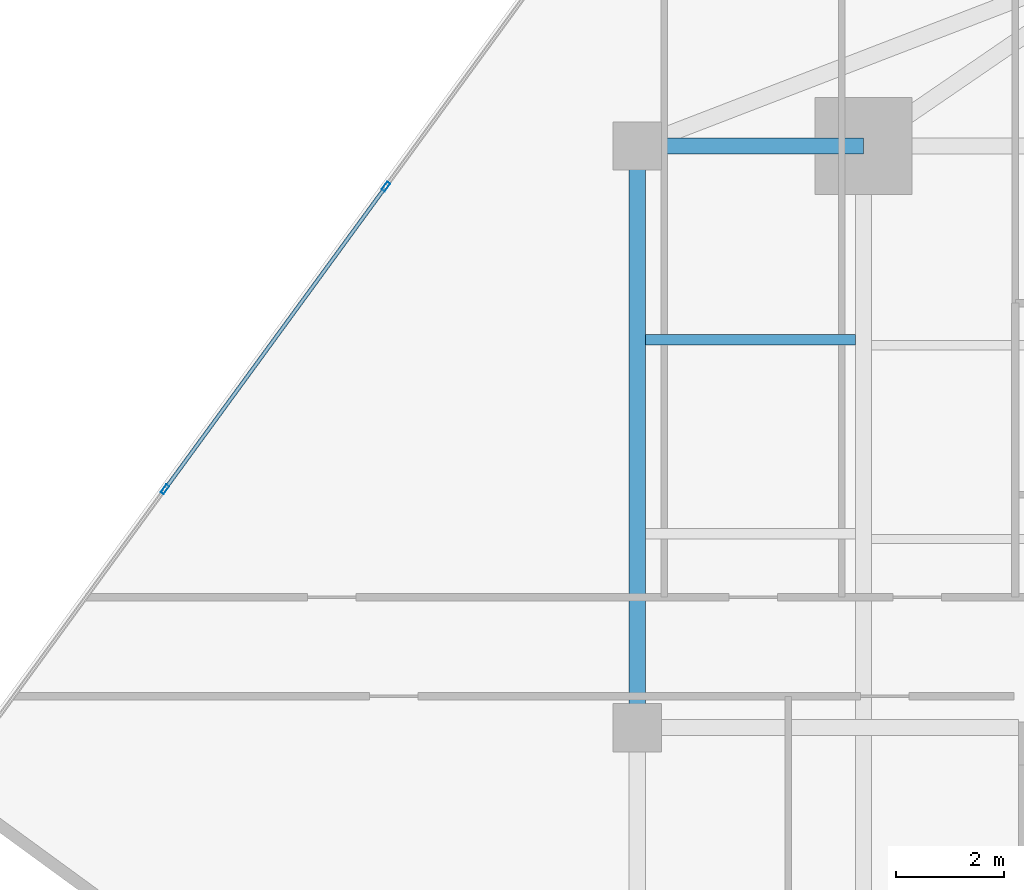
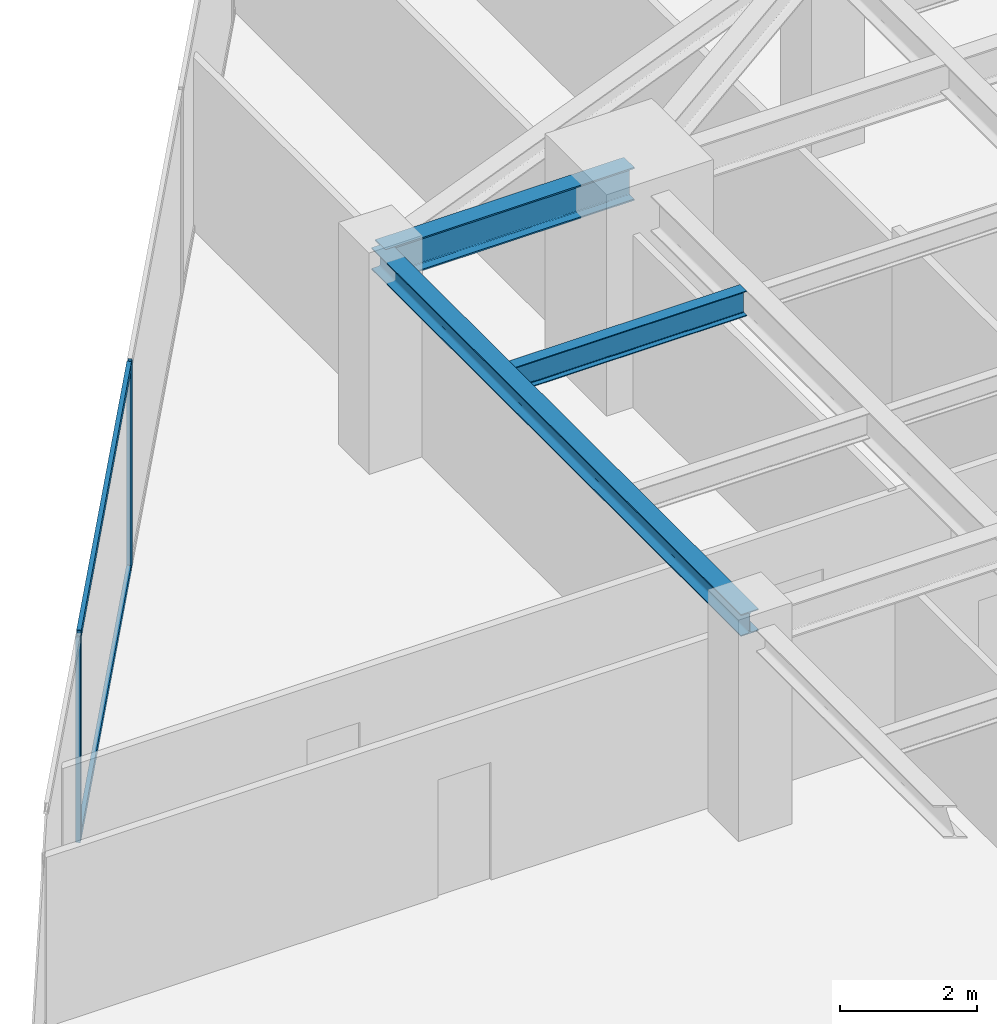
# One storey, part 12 of 25: 4 members, 3 beams, 1 element without a shape of its own.
"""IFC4 building model written with IfcOpenShell, lengths in metres."""

from ifc_helpers import new_model, si_unit, direction, frame, origin, origin_2d, place, context, subcontext, project, spatial, hollow_rectangle, i_section, extrude, source, transform, mapped, material, material_profile, profile_set, type_object, type_shapes, element, aggregate, save


model = new_model("IFC4")

# Units and contexts
model_context = context("Model", 3, precision=1e-05, world=origin(), true_north=direction((0.0, 1.0)))
body_context = subcontext(model_context, "Body", "Model", "MODEL_VIEW")
ifc_project = project(units=[si_unit("LENGTHUNIT", "METRE"), si_unit("AREAUNIT", "SQUARE_METRE"), si_unit("VOLUMEUNIT", "CUBIC_METRE"), si_unit("PLANEANGLEUNIT", "RADIAN"), si_unit("MASSUNIT", "GRAM", prefix="KILO")], contexts=[model_context])

# Site, building, storey
site_placement = place(None, origin())
site = spatial("IfcSite", under=ifc_project, at=site_placement, CompositionType="ELEMENT")
building_placement = place(site_placement, origin())
building = spatial("IfcBuilding", under=site, at=building_placement, Name="Krantzveldt Concourse Tower", CompositionType="ELEMENT")
storey_placement = place(building_placement, frame((0.0, 0.0, 193.60009765625)))
storey = spatial("IfcBuildingStorey", under=building, at=storey_placement, Name="L47", CompositionType="ELEMENT", Elevation=193.60009765625)

# Beams
ifc_material_1 = material(Name="Steel S355JR", Category="steel")
ifc_material_profile_1 = material_profile(ifc_material_1, i_section(OverallWidth=0.300048828125, OverallDepth=0.590087890625, WebThickness=0.012939453125, FlangeThickness=0.02490234375, FilletRadius=0.027099609375, at=origin_2d()), Name="Steel S355JR", Category="steel")
ifc_profile_set_1 = profile_set([ifc_material_profile_1], Name="Steel S355JR - HEA 600")
beam_type_1 = type_object("IfcBeamType", Name="BM-B-HEA600", PredefinedType="BEAM", material=ifc_profile_set_1)
shared_shape_1 = source(origin(), body_context, "Body", "SweptSolid", [
    extrude(i_section(OverallWidth=0.300048828125, OverallDepth=0.590087890625, WebThickness=0.012939453125, FlangeThickness=0.02490234375, FilletRadius=0.027099609375, at=origin_2d()), origin(), (0.0, 0.0, 1.0), 4.199951171875),
])
type_shapes(beam_type_1, [shared_shape_1])
beam_1_placement = place(storey_placement, frame((21.0, 37.5, 3.375), z_axis=(1.0, 0.0, 0.0), x_axis=(0.0, 1.0, 0.0)))
element("IfcBeam", 1, at=beam_1_placement, inside=storey, type_object=beam_type_1, Name="L47 Tower Girder BR-RL3", PredefinedType="BEAM", context=body_context, shape_type="MappedRepresentation", body=[
    mapped(shared_shape_1, transform((0.0, 0.0, 0.0), x_axis=(1.0, 0.0, 0.0), y_axis=(0.0, 1.0, 0.0), z_axis=(0.0, 0.0, 1.0), scale=1.0)),
])
ifc_material_profile_2 = material_profile(ifc_material_1, i_section(OverallWidth=0.300048828125, OverallDepth=0.389892578125, WebThickness=0.010986328125, FlangeThickness=0.01904296875, FilletRadius=0.027099609375, at=origin_2d()), Name="Steel S355JR", Category="steel")
ifc_profile_set_2 = profile_set([ifc_material_profile_2], Name="Steel S355JR - HEA 400")
beam_type_2 = type_object("IfcBeamType", Name="BM-SP-HEA400", PredefinedType="SPANDREL", material=ifc_profile_set_2)
shared_shape_2 = source(origin(), body_context, "Body", "SweptSolid", [
    extrude(i_section(OverallWidth=0.300048828125, OverallDepth=0.389892578125, WebThickness=0.010986328125, FlangeThickness=0.01904296875, FilletRadius=0.027099609375, at=origin_2d()), origin(), (0.0, 0.0, 1.0), 10.800048828125),
])
type_shapes(beam_type_2, [shared_shape_2])
beam_2_placement = place(storey_placement, frame((21.0, 26.699951171875, 3.474853515625), z_axis=(0.0, 1.0, 0.0), x_axis=(-1.0, 0.0, 0.0)))
element("IfcBeam", 2, at=beam_2_placement, inside=storey, type_object=beam_type_2, Name="L47 Tower Girder SP-R02", PredefinedType="SPANDREL", context=body_context, shape_type="MappedRepresentation", body=[
    mapped(shared_shape_2, transform((0.0, 0.0, 0.0), x_axis=(1.0, 0.0, 0.0), y_axis=(0.0, 1.0, 0.0), z_axis=(0.0, 0.0, 1.0), scale=1.0)),
])
ifc_material_profile_3 = material_profile(ifc_material_1, i_section(OverallWidth=0.18994140625, OverallDepth=0.449951171875, WebThickness=0.009521484375, FlangeThickness=0.0146484375, FilletRadius=0.02099609375, at=origin_2d()), Name="Steel S355JR", Category="steel")
ifc_profile_set_3 = profile_set([ifc_material_profile_3], Name="Steel S355JR - IPE 450")
beam_type_3 = type_object("IfcBeamType", Name="BM-J-IPE450", PredefinedType="JOIST", material=ifc_profile_set_3)
shared_shape_3 = source(origin(), body_context, "Body", "SweptSolid", [
    extrude(i_section(OverallWidth=0.18994140625, OverallDepth=0.449951171875, WebThickness=0.009521484375, FlangeThickness=0.0146484375, FilletRadius=0.02099609375, at=origin_2d()), origin(), (0.0, 0.0, 1.0), 3.900146484375),
])
type_shapes(beam_type_3, [shared_shape_3])
beam_3_placement = place(storey_placement, frame((21.14990234375, 33.89990234375, 3.44482421875), z_axis=(1.0, 0.0, 0.0), x_axis=(0.0, 1.0, 0.0)))
element("IfcBeam", 3, at=beam_3_placement, inside=storey, type_object=beam_type_3, Name="L47 Secondary Floor Joist JW-4", PredefinedType="JOIST", context=body_context, shape_type="MappedRepresentation", body=[
    mapped(shared_shape_3, transform((0.0, 0.0, 0.0), x_axis=(1.0, 0.0, 0.0), y_axis=(0.0, 1.0, 0.0), z_axis=(0.0, 0.0, 1.0), scale=1.0)),
])

# Curtain wall, members
ifc_material_2 = material(Name="Anodised aluminium 6063-T6", Category="aluminium")
curtain_wall_type = type_object("IfcCurtainWallType", Name="CW3", PredefinedType="USERDEFINED", material=ifc_material_2)
curtain_wall_placement = place(storey_placement, origin())
curtain_wall = element("IfcCurtainWall", 4, at=curtain_wall_placement, inside=storey, type_object=curtain_wall_type, Name="CW-L47-F01", ObjectType="UNITISED CURTAIN WALL", PredefinedType="USERDEFINED")
ifc_material_profile_4 = material_profile(ifc_material_2, hollow_rectangle(XDim=0.070068359375, YDim=0.179931640625, WallThickness=0.0048828125, at=origin_2d()), Name="Anodised aluminium 6063-T6", Category="aluminium")
ifc_profile_set_4 = profile_set([ifc_material_profile_4], Name="Anodised aluminium 6063-T6 - ALU-MULL 180x70x5")
member_type_1 = type_object("IfcMemberType", Name="CW-MUL-180", PredefinedType="MULLION", material=ifc_profile_set_4)
shared_shape_4 = source(origin(), body_context, "Body", "SweptSolid", [
    extrude(hollow_rectangle(XDim=0.070068359375, YDim=0.179931640625, WallThickness=0.0048828125, at=origin_2d()), origin(), (0.0, 0.0, 1.0), 3.669921875),
])
type_shapes(member_type_1, [shared_shape_4])
member_1_placement = place(storey_placement, frame((16.331787109375, 36.7470703125, 0.0), z_axis=(0.0, 0.0, 1.0), x_axis=(0.807732735781, -0.589548833895, 0.0)))
member_1 = element("IfcMember", 5, at=member_1_placement, type_object=member_type_1, Name="CW-Z34 mullion 4", PredefinedType="MULLION", context=body_context, shape_type="MappedRepresentation", body=[
    mapped(shared_shape_4, transform((0.0, 0.0, 0.0), x_axis=(1.0, 0.0, 0.0), y_axis=(0.0, 1.0, 0.0), z_axis=(0.0, 0.0, 1.0), scale=1.0)),
])
member_2_placement = place(storey_placement, frame((12.228515625, 31.125244140625, 0.0), z_axis=(0.0, 0.0, 1.0), x_axis=(0.807732735781, -0.589548833895, 0.0)))
member_2 = element("IfcMember", 6, at=member_2_placement, type_object=member_type_1, Name="CW-Z34 mullion 5", PredefinedType="MULLION", context=body_context, shape_type="MappedRepresentation", body=[
    mapped(shared_shape_4, transform((0.0, 0.0, 0.0), x_axis=(1.0, 0.0, 0.0), y_axis=(0.0, 1.0, 0.0), z_axis=(0.0, 0.0, 1.0), scale=1.0)),
])
ifc_material_profile_5 = material_profile(ifc_material_2, hollow_rectangle(XDim=0.070068359375, YDim=0.139892578125, WallThickness=0.0048828125, at=origin_2d()), Name="Anodised aluminium 6063-T6", Category="aluminium")
ifc_profile_set_5 = profile_set([ifc_material_profile_5], Name="Anodised aluminium 6063-T6 - ALU-TRAN 140x70x5")
member_type_2 = type_object("IfcMemberType", Name="CW-TRN-150", PredefinedType="USERDEFINED", material=ifc_profile_set_5)
shared_shape_5 = source(origin(), body_context, "Body", "SweptSolid", [
    extrude(hollow_rectangle(XDim=0.070068359375, YDim=0.139892578125, WallThickness=0.0048828125, at=origin_2d()), origin(), (0.0, 0.0, 1.0), 6.89013671875),
])
type_shapes(member_type_2, [shared_shape_5])
member_3_placement = place(storey_placement, frame((16.31103515625, 36.718994140625, 0.034912109375), z_axis=(-0.589540306055, -0.807738960021, 0.0), x_axis=(0.807738960021, -0.589540306055, 0.0)))
member_3 = element("IfcMember", 7, at=member_3_placement, type_object=member_type_2, Name="CW-Z34 transom 4.1", ObjectType="TRANSOM", PredefinedType="USERDEFINED", context=body_context, shape_type="MappedRepresentation", body=[
    mapped(shared_shape_5, transform((0.0, 0.0, 0.0), x_axis=(1.0, 0.0, 0.0), y_axis=(0.0, 1.0, 0.0), z_axis=(0.0, 0.0, 1.0), scale=1.0)),
])
member_4_placement = place(storey_placement, frame((16.31103515625, 36.718994140625, 3.635009765625), z_axis=(-0.589540306055, -0.807738960021, 0.0), x_axis=(0.807738960021, -0.589540306055, 0.0)))
member_4 = element("IfcMember", 8, at=member_4_placement, type_object=member_type_2, Name="CW-Z34 transom 4.2", ObjectType="TRANSOM", PredefinedType="USERDEFINED", context=body_context, shape_type="MappedRepresentation", body=[
    mapped(shared_shape_5, transform((0.0, 0.0, 0.0), x_axis=(1.0, 0.0, 0.0), y_axis=(0.0, 1.0, 0.0), z_axis=(0.0, 0.0, 1.0), scale=1.0)),
])
aggregate(curtain_wall, [member_1, member_2, member_3, member_4])

save(model, "model.ifc")
